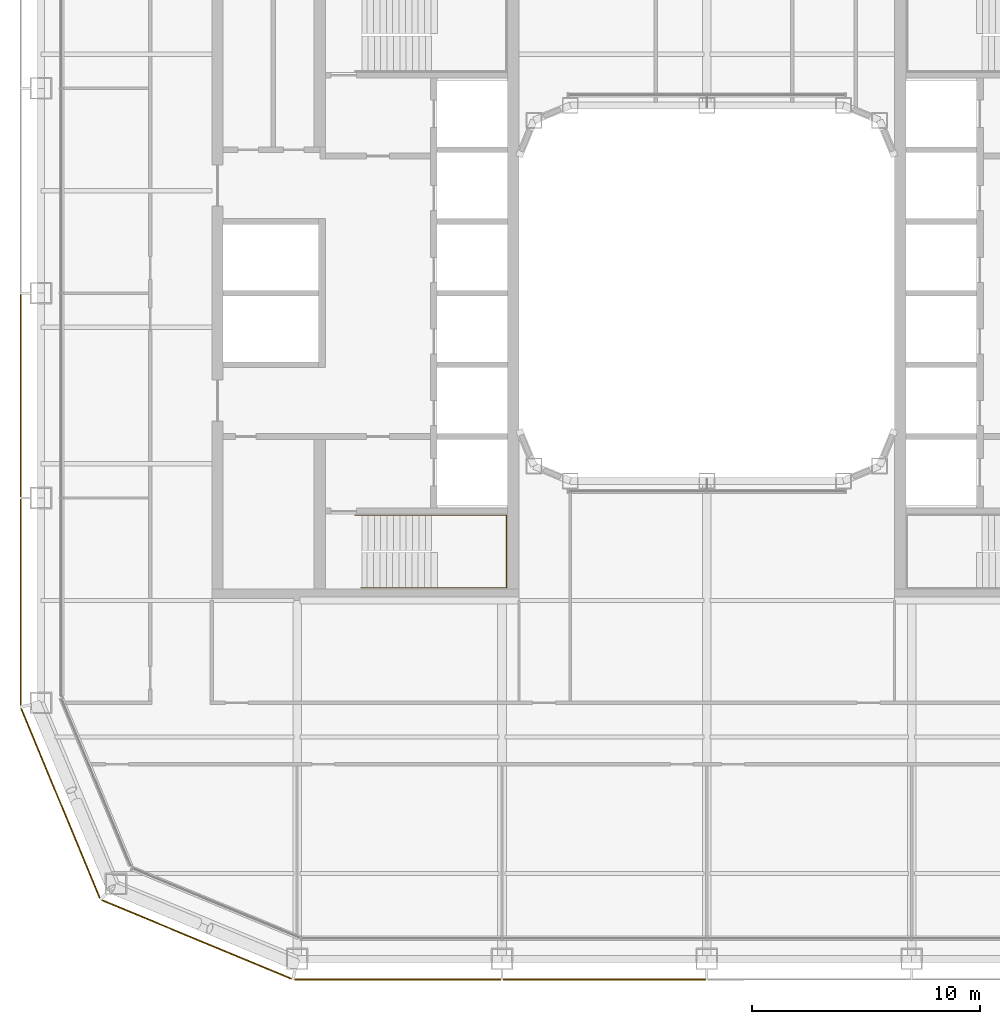
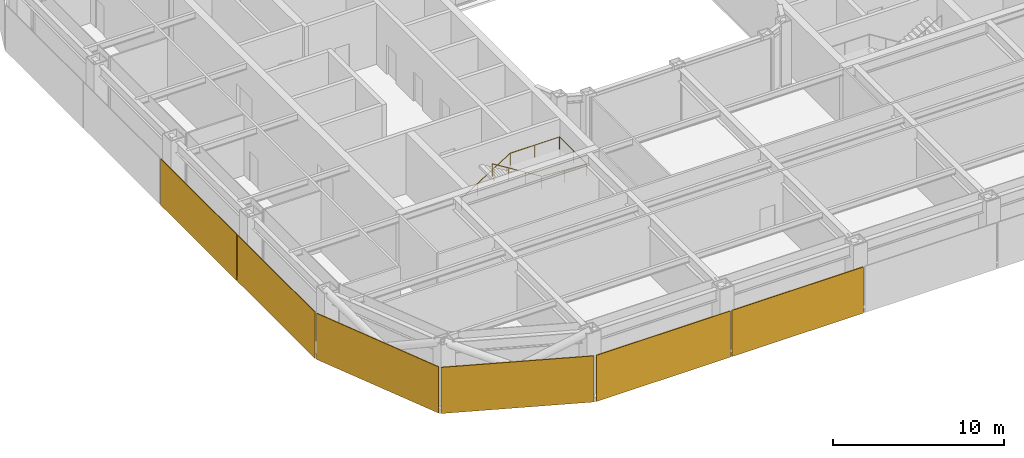
# One storey, part 17 of 21: 6 coverings, 1 railing.
"""IFC4 building model written with IfcOpenShell, lengths in metres."""

from ifc_helpers import new_model, si_unit, direction, frame, origin, origin_2d, place, context, subcontext, project, spatial, rectangle, circle, extrude, material, layer, layer_set, type_object, element, save


model = new_model("IFC4")

# Units and contexts
model_context = context("Model", 3, precision=1e-05, world=origin(), true_north=direction((0.0, 1.0)))
body_context = subcontext(model_context, "Body", "Model", "MODEL_VIEW")
ifc_project = project(units=[si_unit("LENGTHUNIT", "METRE"), si_unit("AREAUNIT", "SQUARE_METRE"), si_unit("VOLUMEUNIT", "CUBIC_METRE"), si_unit("PLANEANGLEUNIT", "RADIAN"), si_unit("MASSUNIT", "GRAM", prefix="KILO")], contexts=[model_context])

# Site, building, storey
site_placement = place(None, origin())
site = spatial("IfcSite", under=ifc_project, at=site_placement, CompositionType="ELEMENT")
building_placement = place(site_placement, origin())
building = spatial("IfcBuilding", under=site, at=building_placement, Name="Siwar Civic Tower", CompositionType="ELEMENT")
storey_placement = place(building_placement, frame((0.0, 0.0, 122.699951171875)))
storey = spatial("IfcBuildingStorey", under=building, at=storey_placement, Name="L26", CompositionType="ELEMENT", Elevation=122.699951171875)

# Railing
ifc_material_1 = material(Name="Stainless steel", Category="steel")
railing_type = type_object("IfcRailingType", Name="CORE-STAIR-HANDRAIL", PredefinedType="HANDRAIL", material=ifc_material_1)
railing_placement = place(storey_placement, frame((-15.449951171875, -9.758056640625, 0.173095703125)))
element("IfcRailing", 1, at=railing_placement, inside=storey, type_object=railing_type, Name="Stair handrail ST2", PredefinedType="HANDRAIL", context=body_context, shape_type="SweptSolid", body=[
    extrude(circle(Radius=0.02001953125, at=origin_2d()), frame((0.0, 0.0, 0.8798828125), z_axis=(0.847063342986, 0.0, 0.531491950051), x_axis=(0.0, 1.0, 0.0)), (0.0, 0.0, 1.0), 3.90771484375),
    extrude(circle(Radius=0.02001953125, at=origin_2d()), frame((3.31005859375, 0.0, 2.956787109375), z_axis=(1.0, 0.0, 0.0), x_axis=(0.0, 1.0, 0.0)), (0.0, 0.0, 1.0), 3.331787109375),
    extrude(circle(Radius=0.02001953125, at=origin_2d()), frame((6.641845703125, 0.0, 2.956787109375), z_axis=(0.0, -1.0, 0.0), x_axis=(1.0, 0.0, 0.0)), (0.0, 0.0, 1.0), 3.183837890625),
    extrude(circle(Radius=0.02001953125, at=origin_2d()), frame((6.641845703125, -3.183837890625, 2.956787109375), z_axis=(-0.99837434197, 0.0, 0.056997134106), x_axis=(0.0, -1.0, 0.0)), (0.0, 0.0, 1.0), 3.036865234375),
    extrude(circle(Radius=0.02001953125, at=origin_2d()), frame((3.60986328125, -3.183837890625, 3.1298828125), z_axis=(-0.850606129759, 0.0, 0.525803396734), x_axis=(0.0, -1.0, 0.0)), (0.0, 0.0, 1.0), 3.949951171875),
    extrude(circle(Radius=0.02001953125, at=origin_2d()), origin(), (0.0, 0.0, 1.0), 0.85986328125),
    extrude(circle(Radius=0.02001953125, at=origin_2d()), frame((1.103271484375, 0.0, 0.6923828125)), (0.0, 0.0, 1.0), 0.85986328125),
    extrude(circle(Radius=0.02001953125, at=origin_2d()), frame((2.206787109375, 0.0, 1.384521484375)), (0.0, 0.0, 1.0), 0.85986328125),
    extrude(circle(Radius=0.02001953125, at=origin_2d()), frame((3.31005859375, 0.0, 2.076904296875)), (0.0, 0.0, 1.0), 0.85986328125),
    extrude(circle(Radius=0.02001953125, at=origin_2d()), frame((4.97607421875, 0.0, 2.076904296875)), (0.0, 0.0, 1.0), 0.85986328125),
    extrude(circle(Radius=0.02001953125, at=origin_2d()), frame((6.641845703125, 0.0, 2.076904296875)), (0.0, 0.0, 1.0), 0.85986328125),
    extrude(circle(Radius=0.02001953125, at=origin_2d()), frame((6.641845703125, -1.591796875, 2.076904296875)), (0.0, 0.0, 1.0), 0.85986328125),
    extrude(circle(Radius=0.02001953125, at=origin_2d()), frame((6.641845703125, -3.183837890625, 2.076904296875)), (0.0, 0.0, 1.0), 0.85986328125),
    extrude(circle(Radius=0.02001953125, at=origin_2d()), frame((5.1259765625, -3.183837890625, 2.16357421875)), (0.0, 0.0, 1.0), 0.85986328125),
    extrude(circle(Radius=0.02001953125, at=origin_2d()), frame((3.60986328125, -3.183837890625, 2.25)), (0.0, 0.0, 1.0), 0.85986328125),
    extrude(circle(Radius=0.02001953125, at=origin_2d()), frame((2.489990234375, -3.183837890625, 2.9423828125)), (0.0, 0.0, 1.0), 0.85986328125),
    extrude(circle(Radius=0.02001953125, at=origin_2d()), frame((1.369873046875, -3.183837890625, 3.634521484375)), (0.0, 0.0, 1.0), 0.85986328125),
    extrude(circle(Radius=0.02001953125, at=origin_2d()), frame((0.25, -3.183837890625, 4.326904296875)), (0.0, 0.0, 1.0), 0.85986328125),
])

# Coverings
ifc_material_2 = material(Name="Perforated aluminium cassette, pale metal", Category="aluminium")
ifc_layer_1 = layer(ifc_material_2, 0.050048828125)
ifc_layer_set_1 = layer_set([ifc_layer_1], Name="Perforated aluminium cassette, pale metal")
covering_type_1 = type_object("IfcCoveringType", Name="ENV-OUTER SKIN OS-3", PredefinedType="CLADDING", material=ifc_layer_set_1)
covering_1_placement = place(storey_placement, frame((-30.14990234375, -4.5, -0.14990234375), z_axis=(0.0, 0.0, 1.0), x_axis=(0.0, -1.0, 0.0)))
element("IfcCovering", 2, at=covering_1_placement, inside=storey, type_object=covering_type_1, Name="OUTER SKIN OS-3 W 3", PredefinedType="CLADDING", context=body_context, shape_type="SweptSolid", body=[
    extrude(rectangle(XDim=8.89990234375, YDim=0.050048828125, at=origin_2d()), origin(), (0.0, 0.0, 1.0), 3.300048828125),
])
covering_2_placement = place(storey_placement, frame((-30.14990234375, -13.57958984375, -0.14990234375), z_axis=(0.0, 0.0, 1.0), x_axis=(0.0, -1.0, 0.0)))
element("IfcCovering", 3, at=covering_2_placement, inside=storey, type_object=covering_type_1, Name="OUTER SKIN OS-3 W 4", PredefinedType="CLADDING", context=body_context, shape_type="SweptSolid", body=[
    extrude(rectangle(XDim=9.05908203125, YDim=0.050048828125, at=origin_2d()), origin(), (0.0, 0.0, 1.0), 3.300048828125),
])
ifc_material_3 = material(Name="Perforated aluminium cassette, pale metal", Category="aluminium")
ifc_layer_2 = layer(ifc_material_3, 0.054931640625)
ifc_layer_set_2 = layer_set([ifc_layer_2], Name="Perforated aluminium cassette, pale metal")
covering_type_2 = type_object("IfcCoveringType", Name="ENV-OUTER SKIN OS-4", PredefinedType="CLADDING", material=ifc_layer_set_2)
covering_3_placement = place(storey_placement, frame((-13.57958984375, -30.14990234375, -0.14990234375), z_axis=(0.0, 0.0, 1.0), x_axis=(1.0, 0.0, 0.0)))
element("IfcCovering", 4, at=covering_3_placement, inside=storey, type_object=covering_type_2, Name="OUTER SKIN OS-4 S 1", PredefinedType="CLADDING", context=body_context, shape_type="SweptSolid", body=[
    extrude(rectangle(XDim=9.05908203125, YDim=0.054931640625, at=origin_2d()), origin(), (0.0, 0.0, 1.0), 3.300048828125),
])
covering_4_placement = place(storey_placement, frame((-4.5, -30.14990234375, -0.14990234375), z_axis=(0.0, 0.0, 1.0), x_axis=(1.0, 0.0, 0.0)))
element("IfcCovering", 5, at=covering_4_placement, inside=storey, type_object=covering_type_2, Name="OUTER SKIN OS-4 S 2", PredefinedType="CLADDING", context=body_context, shape_type="SweptSolid", body=[
    extrude(rectangle(XDim=8.89990234375, YDim=0.054931640625, at=origin_2d()), origin(), (0.0, 0.0, 1.0), 3.300048828125),
])
for number, where, z_axis, x_axis, name in (
    (6, (-28.39697265625, -22.411376953125, -0.14990234375), (0.0, 0.0, 1.0), (0.382683432365, -0.923879532511, 0.0), "OUTER SKIN OS-4 SW1 1"),
    (7, (-22.411376953125, -28.39697265625, -0.14990234375), (0.0, 0.0, 1.0), (0.923879532511, -0.382683432365, 0.0), "OUTER SKIN OS-4 SW2 1"),
):
    element("IfcCovering", number, at=place(storey_placement, frame(where, z_axis=z_axis, x_axis=x_axis)), inside=storey, type_object=covering_type_2, Name=name, PredefinedType="CLADDING", context=body_context, shape_type="SweptSolid", body=[
        extrude(rectangle(XDim=9.022216796875, YDim=0.054931640625, at=origin_2d()), origin(), (0.0, 0.0, 1.0), 3.300048828125),
    ])

save(model, "model.ifc")
